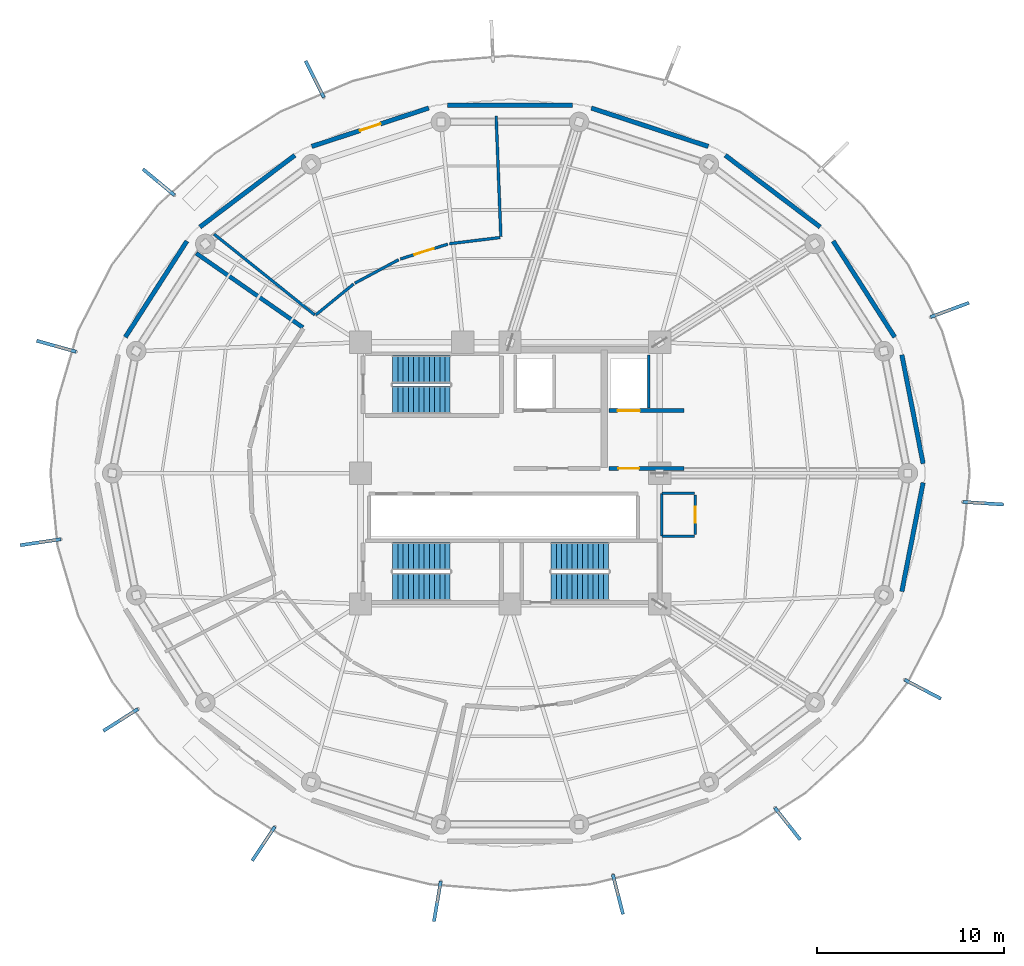
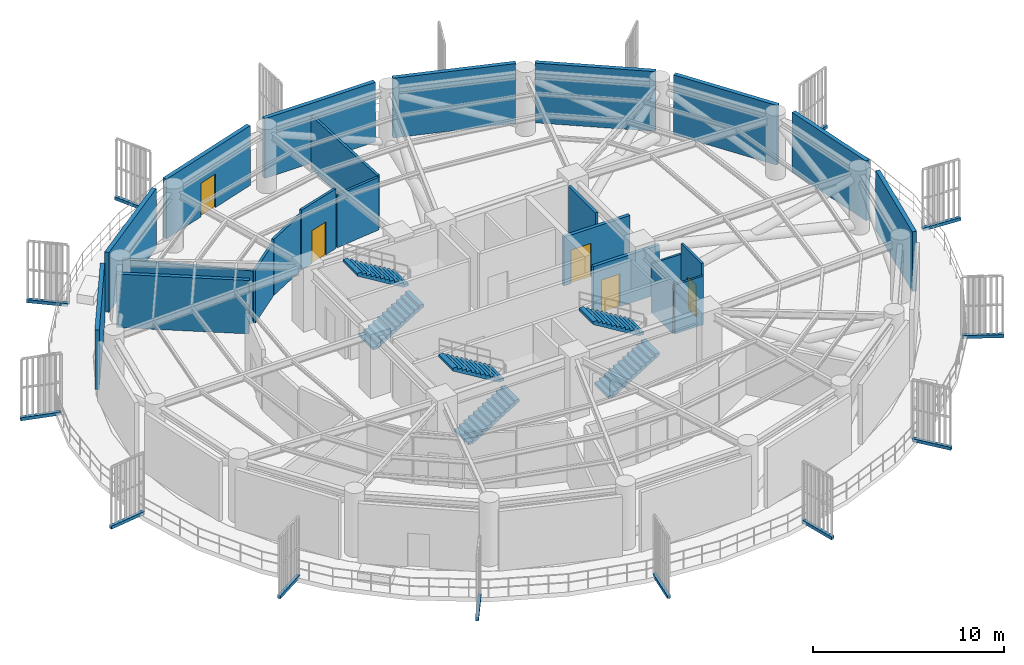
# One storey, part 5 of 10: 23 walls, 12 discrete accessories, 6 stair flights, 5 doors, 5 openings, 3 elements without a shape of their own.
"""IFC4 building model written with IfcOpenShell, lengths in metres."""

from ifc_helpers import new_model, si_unit, direction, frame, frame_2d, origin, origin_2d, place, context, subcontext, project, spatial, polyline, rectangle, outline, extrude, source, transform, mapped, material, layer, layer_set, type_object, element, fill, aggregate, save


model = new_model("IFC4")

# Units and contexts
model_context = context("Model", 3, precision=1e-05, world=origin(), true_north=direction((0.0, 1.0)))
body_context = subcontext(model_context, "Body", "Model", "MODEL_VIEW")
ifc_project = project(units=[si_unit("LENGTHUNIT", "METRE"), si_unit("AREAUNIT", "SQUARE_METRE"), si_unit("VOLUMEUNIT", "CUBIC_METRE"), si_unit("PLANEANGLEUNIT", "RADIAN"), si_unit("MASSUNIT", "GRAM", prefix="KILO")], contexts=[model_context])

# Site, building, storey
site_placement = place(None, origin())
site = spatial("IfcSite", under=ifc_project, at=site_placement, CompositionType="ELEMENT")
building_placement = place(site_placement, origin())
building = spatial("IfcBuilding", under=site, at=building_placement, Name="Kelanora Arch Commons", CompositionType="ELEMENT")
storey_placement = place(building_placement, frame((0.0, 0.0, 189.110107421875)))
storey = spatial("IfcBuildingStorey", under=building, at=storey_placement, Name="L48", CompositionType="ELEMENT", Elevation=189.110107421875)

# Wall
ifc_material_1 = material(Name="Autoclaved aerated concrete blockwork with fire plaster", Category="masonry")
ifc_layer_1 = layer(ifc_material_1, 0.14990234375)
ifc_layer_set_1 = layer_set([ifc_layer_1], Name="Autoclaved aerated concrete blockwork with fire plaster")
wall_type_1 = type_object("IfcWallType", Name="W-COMP-150", PredefinedType="PARTITIONING", material=ifc_layer_set_1)
wall_1_placement = place(storey_placement, frame((81.419921875, 61.47998046875, 0.0), z_axis=(0.0, 0.0, 1.0), x_axis=(0.0, 1.0, 0.0)))
element("IfcWall", 1, at=wall_1_placement, inside=storey, type_object=wall_type_1, Name="Firefighting Lift 2 East Shaft Wall L48", PredefinedType="PARTITIONING", context=body_context, shape_type="SweptSolid", body=[
    extrude(rectangle(XDim=2.840087890625, YDim=0.14990234375, at=frame_2d((1.419921875, 0.0))), origin(), (0.0, 0.0, 1.0), 3.81982421875),
])

# Wall, opening, door
wall_2_placement = place(storey_placement, frame((70.669921875, 70.2529296875, 0.0), z_axis=(0.0, 0.0, 1.0), x_axis=(-0.954072441826, -0.299575993278, 0.0)))
wall_2 = element("IfcWall", 2, at=wall_2_placement, inside=storey, type_object=wall_type_1, Name="Dedicated Outdoor Air and Enthalpy Wheel Plant L48 Entry Partition", PredefinedType="PARTITIONING", context=body_context, shape_type="SweptSolid", body=[
    extrude(rectangle(XDim=2.659912109375, YDim=0.14990234375, at=frame_2d((1.330078125, 0.0))), origin(), (0.0, 0.0, 1.0), 3.81982421875),
])
opening_1_placement = place(wall_2_placement, frame((0.7900390625, 0.0, 0.0)))
opening_1 = element("IfcOpeningElement", 3, at=opening_1_placement, cuts=wall_2, Name="Opening D-PLT1", PredefinedType="OPENING", context=body_context, shape_type="SweptSolid", body=[
    extrude(rectangle(XDim=1.080078125, YDim=2.10009765625, at=frame_2d((0.5400390625, 1.050048828125))), frame((0.0, 0.0849609375, 0.0), z_axis=(0.0, -1.0, 0.0), x_axis=(1.0, 0.0, 0.0)), (0.0, 0.0, 1.0), 0.169921875),
])
ifc_material_2 = material(Name="Galvanised steel plant and riser fire door", Category="steel")
door_type_1 = type_object("IfcDoorType", Name="D-PLT-110", OperationType="NOTDEFINED", PredefinedType="DOOR", material=ifc_material_2)
door_1_placement = place(opening_1_placement, origin())
door_1 = element("IfcDoor", 4, at=door_1_placement, inside=storey, type_object=door_type_1, Name="Dedicated Outdoor Air and Enthalpy Wheel Plant L48 Door", OperationType="SINGLE_SWING_RIGHT", OverallHeight=2.10009765625, OverallWidth=1.080078125, PredefinedType="DOOR", context=body_context, shape_type="SweptSolid", body=[
    extrude(rectangle(XDim=1.080078125, YDim=2.10009765625, at=frame_2d((0.5400390625, 1.050048828125))), frame((0.0, 0.02490234375, 0.0), z_axis=(0.0, -1.0, 0.0), x_axis=(1.0, 0.0, 0.0)), (0.0, 0.0, 1.0), 0.050048828125),
])
fill(opening_1, door_1)

# Walls
wall_3_placement = place(storey_placement, frame((73.47119140625, 70.607177734375, 0.0), z_axis=(0.0, 0.0, 1.0), x_axis=(-0.99258087274, -0.12158622895, 0.0)))
element("IfcWall", 5, at=wall_3_placement, inside=storey, type_object=wall_type_1, Name="Dedicated Outdoor Air and Enthalpy Wheel Plant L48 Enclosure Partition 1", PredefinedType="PARTITIONING", context=body_context, shape_type="SweptSolid", body=[
    extrude(rectangle(XDim=2.724853515625, YDim=0.14990234375, at=frame_2d((1.3623046875, 0.0))), origin(), (0.0, 0.0, 1.0), 3.364990234375),
])
wall_4_placement = place(storey_placement, frame((68.039794921875, 69.419189453125, 0.0), z_axis=(0.0, 0.0, 1.0), x_axis=(-0.881492256426, -0.47219847719, 0.0)))
element("IfcWall", 6, at=wall_4_placement, inside=storey, type_object=wall_type_1, Name="Dedicated Outdoor Air and Enthalpy Wheel Plant L48 Enclosure Partition 3", PredefinedType="PARTITIONING", context=body_context, shape_type="SweptSolid", body=[
    extrude(rectangle(XDim=2.658447265625, YDim=0.14990234375, at=frame_2d((1.3291015625, 0.0))), origin(), (0.0, 0.0, 1.0), 3.574951171875),
])
wall_5_placement = place(storey_placement, frame((65.6298828125, 68.11962890625, 0.0), z_axis=(0.0, 0.0, 1.0), x_axis=(-0.774061607798, -0.633110280546, 0.0)))
element("IfcWall", 7, at=wall_5_placement, inside=storey, type_object=wall_type_1, Name="Dedicated Outdoor Air and Enthalpy Wheel Plant L48 Enclosure Partition 4", PredefinedType="PARTITIONING", context=body_context, shape_type="SweptSolid", body=[
    extrude(rectangle(XDim=2.606689453125, YDim=0.14990234375, at=frame_2d((1.30322265625, 0.0))), origin(), (0.0, 0.0, 1.0), 3.364990234375),
])
wall_6_placement = place(storey_placement, frame((63.5498046875, 66.468994140625, 0.0), z_axis=(0.0, 0.0, 1.0), x_axis=(-0.77998820796, 0.625794211737, 0.0)))
element("IfcWall", 8, at=wall_6_placement, inside=storey, type_object=wall_type_1, Name="Dedicated Outdoor Air and Enthalpy Wheel Plant L48 Enclosure Partition 5", PredefinedType="PARTITIONING", context=body_context, shape_type="SweptSolid", body=[
    extrude(rectangle(XDim=6.9033203125, YDim=0.14990234375, at=frame_2d((3.45166015625, 0.0))), origin(), (0.0, 0.0, 1.0), 3.364990234375),
])
wall_7_placement = place(storey_placement, frame((73.256591796875, 77.097900390625, 0.0), z_axis=(0.0, 0.0, 1.0), x_axis=(0.039209277228, -0.999231020625, 0.0)))
element("IfcWall", 9, at=wall_7_placement, inside=storey, type_object=wall_type_1, Name="Dedicated Outdoor Air and Enthalpy Wheel Plant L48 Enclosure Partition 10", PredefinedType="PARTITIONING", context=body_context, shape_type="SweptSolid", body=[
    extrude(rectangle(XDim=6.45068359375, YDim=0.14990234375, at=frame_2d((3.225341796875, 0.0))), origin(), (0.0, 0.0, 1.0), 3.414794921875),
])
ifc_material_3 = material(Name="Precast concrete C40/50 upper-zone terracotta rainscreen", Category="masonry")
ifc_layer_2 = layer(ifc_material_3, 0.239990234375)
ifc_layer_set_2 = layer_set([ifc_layer_2], Name="Precast concrete C40/50 upper-zone terracotta rainscreen")
wall_type_2 = type_object("IfcWallType", Name="W-EXT-TC2", PredefinedType="SOLIDWALL", material=ifc_layer_set_2)
wall_8_placement = place(storey_placement, frame((96.10009765625, 58.51025390625, 0.0), z_axis=(0.0, 0.0, 1.0), x_axis=(-0.192052981254, 0.981384558871, 0.0)))
element("IfcWall", 10, at=wall_8_placement, inside=storey, type_object=wall_type_2, Name="Mechanical Louvre Precast Backing Wall L48-01", PredefinedType="SOLIDWALL", context=body_context, shape_type="SweptSolid", body=[
    extrude(rectangle(XDim=5.93017578125, YDim=0.239990234375, at=frame_2d((2.965087890625, 0.0))), origin(), (0.0, 0.0, 1.0), 3.81494140625),
])
wall_9_placement = place(storey_placement, frame((94.58056640625, 65.2783203125, 0.0), z_axis=(0.0, 0.0, 1.0), x_axis=(-0.539556360139, 0.841949484371, 0.0)))
element("IfcWall", 11, at=wall_9_placement, inside=storey, type_object=wall_type_2, Name="Mechanical Louvre Precast Backing Wall L48-02", PredefinedType="SOLIDWALL", context=body_context, shape_type="SweptSolid", body=[
    extrude(rectangle(XDim=6.1044921875, YDim=0.239990234375, at=frame_2d((3.05224609375, 0.0))), origin(), (0.0, 0.0, 1.0), 3.81494140625),
])
wall_10_placement = place(storey_placement, frame((90.59130859375, 71.16943359375, 0.0), z_axis=(0.0, 0.0, 1.0), x_axis=(-0.797724599481, 0.603021942704, 0.0)))
element("IfcWall", 12, at=wall_10_placement, inside=storey, type_object=wall_type_2, Name="Mechanical Louvre Precast Backing Wall L48-03", PredefinedType="SOLIDWALL", context=body_context, shape_type="SweptSolid", body=[
    extrude(rectangle(XDim=6.363525390625, YDim=0.239990234375, at=frame_2d((3.181640625, 0.0))), origin(), (0.0, 0.0, 1.0), 3.81494140625),
])
wall_11_placement = place(storey_placement, frame((84.60595703125, 75.482421875, 0.0), z_axis=(0.0, 0.0, 1.0), x_axis=(-0.950214424667, 0.31159677013, 0.0)))
element("IfcWall", 13, at=wall_11_placement, inside=storey, type_object=wall_type_2, Name="Mechanical Louvre Precast Backing Wall L48-04", PredefinedType="SOLIDWALL", context=body_context, shape_type="SweptSolid", body=[
    extrude(rectangle(XDim=6.584716796875, YDim=0.239990234375, at=frame_2d((3.29248046875, 0.0))), origin(), (0.0, 0.0, 1.0), 3.81494140625),
])
wall_12_placement = place(storey_placement, frame((77.3349609375, 77.6962890625, 0.0), z_axis=(0.0, 0.0, 1.0), x_axis=(-1.0, 0.0, 0.0)))
element("IfcWall", 14, at=wall_12_placement, inside=storey, type_object=wall_type_2, Name="Mechanical Louvre Precast Backing Wall L48-05", PredefinedType="SOLIDWALL", context=body_context, shape_type="SweptSolid", body=[
    extrude(rectangle(XDim=6.669921875, YDim=0.239990234375, at=frame_2d((3.3349609375, 0.0))), origin(), (0.0, 0.0, 1.0), 3.81494140625),
])

# Wall, opening, door
wall_13_placement = place(storey_placement, frame((69.65087890625, 77.5341796875, 0.0), z_axis=(0.0, 0.0, 1.0), x_axis=(-0.950214424667, -0.31159677013, 0.0)))
wall_13 = element("IfcWall", 15, at=wall_13_placement, inside=storey, type_object=wall_type_2, Name="Mechanical Louvre Precast Backing Wall L48-06", PredefinedType="SOLIDWALL", context=body_context, shape_type="SweptSolid", body=[
    extrude(rectangle(XDim=6.584716796875, YDim=0.239990234375, at=frame_2d((3.29248046875, 0.0))), origin(), (0.0, 0.0, 1.0), 3.81494140625),
])
opening_2_placement = place(wall_13_placement, frame((2.717041015625, 0.0, 0.0)))
opening_2 = element("IfcOpeningElement", 16, at=opening_2_placement, cuts=wall_13, Name="Opening DT-01", PredefinedType="OPENING", context=body_context, shape_type="SweptSolid", body=[
    extrude(rectangle(XDim=1.14990234375, YDim=2.14990234375, at=frame_2d((0.574951171875, 1.074951171875))), frame((0.0, 0.1298828125, 0.0), z_axis=(0.0, -1.0, 0.0), x_axis=(1.0, 0.0, 0.0)), (0.0, 0.0, 1.0), 0.260009765625),
])
ifc_material_4 = material(Name="Weather-sealed aluminium terrace door", Category="aluminium")
door_type_2 = type_object("IfcDoorType", Name="D-TERR-12", OperationType="NOTDEFINED", PredefinedType="DOOR", material=ifc_material_4)
door_2_placement = place(opening_2_placement, frame((1.14990234375, 0.0, 0.0), z_axis=(0.0, 0.0, 1.0), x_axis=(-1.0, 0.0, 0.0)))
door_2 = element("IfcDoor", 17, at=door_2_placement, inside=storey, type_object=door_type_2, Name="Setback Terrace Maintenance Door L48-05", OperationType="SINGLE_SWING_LEFT", OverallHeight=2.14990234375, OverallWidth=1.14990234375, PredefinedType="DOOR", context=body_context, shape_type="SweptSolid", body=[
    extrude(rectangle(XDim=1.14990234375, YDim=2.14990234375, at=frame_2d((0.574951171875, 1.074951171875))), frame((0.0, 0.02490234375, 0.0), z_axis=(0.0, -1.0, 0.0), x_axis=(1.0, 0.0, 0.0)), (0.0, 0.0, 1.0), 0.050048828125),
])
fill(opening_2, door_2)

# Walls
wall_14_placement = place(storey_placement, frame((62.485107421875, 75.0068359375, 0.0), z_axis=(0.0, 0.0, 1.0), x_axis=(-0.797724599481, -0.603021942704, 0.0)))
element("IfcWall", 18, at=wall_14_placement, inside=storey, type_object=wall_type_2, Name="Mechanical Louvre Precast Backing Wall L48-07", PredefinedType="SOLIDWALL", context=body_context, shape_type="SweptSolid", body=[
    extrude(rectangle(XDim=6.363525390625, YDim=0.239990234375, at=frame_2d((3.181640625, 0.0))), origin(), (0.0, 0.0, 1.0), 3.81494140625),
])
wall_15_placement = place(storey_placement, frame((56.713134765625, 70.41796875, 0.0), z_axis=(0.0, 0.0, 1.0), x_axis=(-0.539556360139, -0.841949484371, 0.0)))
element("IfcWall", 19, at=wall_15_placement, inside=storey, type_object=wall_type_2, Name="Mechanical Louvre Precast Backing Wall L48-08", PredefinedType="SOLIDWALL", context=body_context, shape_type="SweptSolid", body=[
    extrude(rectangle(XDim=6.1044921875, YDim=0.239990234375, at=frame_2d((3.05224609375, 0.0))), origin(), (0.0, 0.0, 1.0), 3.81494140625),
])
wall_16_placement = place(storey_placement, frame((94.961181640625, 51.669921875, 0.0), z_axis=(0.0, 0.0, 1.0), x_axis=(0.192052981254, 0.981384558871, 0.0)))
element("IfcWall", 20, at=wall_16_placement, inside=storey, type_object=wall_type_2, Name="Mechanical Louvre Precast Backing Wall L48-18", PredefinedType="SOLIDWALL", context=body_context, shape_type="SweptSolid", body=[
    extrude(rectangle(XDim=5.93017578125, YDim=0.239990234375, at=frame_2d((2.965087890625, 0.0))), origin(), (0.0, 0.0, 1.0), 3.81494140625),
])

# Wall, opening, door
ifc_material_5 = material(Name="Concrete C40/50", Category="concrete")
ifc_layer_3 = layer(ifc_material_5, 0.199951171875)
ifc_layer_set_3 = layer_set([ifc_layer_3], Name="Concrete C40/50")
wall_type_3 = type_object("IfcWallType", Name="W-FFL-200", PredefinedType="SOLIDWALL", material=ifc_layer_set_3)
wall_17_placement = place(storey_placement, frame((79.300048828125, 61.35009765625, 0.0), z_axis=(0.0, 0.0, 1.0), x_axis=(1.0, 0.0, 0.0)))
wall_17 = element("IfcWall", 21, at=wall_17_placement, inside=storey, type_object=wall_type_3, Name="Firefighting Lift 2 Shaft Front L48", PredefinedType="SOLIDWALL", context=body_context, shape_type="SweptSolid", body=[
    extrude(rectangle(XDim=4.0, YDim=0.199951171875, at=frame_2d((2.0, 0.0))), origin(), (0.0, 0.0, 1.0), 3.114990234375),
])
opening_3_placement = place(wall_17_placement, frame((0.449951171875, 0.0, 0.0)))
opening_3 = element("IfcOpeningElement", 22, at=opening_3_placement, cuts=wall_17, Name="Opening LD-FF", PredefinedType="OPENING", context=body_context, shape_type="SweptSolid", body=[
    extrude(rectangle(XDim=1.199951171875, YDim=2.14990234375, at=frame_2d((0.60009765625, 1.074951171875))), frame((0.0, 0.10986328125, 0.0), z_axis=(0.0, -1.0, 0.0), x_axis=(1.0, 0.0, 0.0)), (0.0, 0.0, 1.0), 0.219970703125),
])
ifc_material_6 = material(Name="Fire-rated firefighters lift sliding landing door")
door_type_3 = type_object("IfcDoorType", Name="D-LIFT-FF", OperationType="NOTDEFINED", PredefinedType="DOOR", material=ifc_material_6)
door_3_placement = place(opening_3_placement, origin())
door_3 = element("IfcDoor", 23, at=door_3_placement, inside=storey, type_object=door_type_3, Name="Firefighting Lift LF-FF2 Landing Door L48", OperationType="DOUBLE_DOOR_SLIDING", OverallHeight=2.14990234375, OverallWidth=1.199951171875, PredefinedType="DOOR", context=body_context, shape_type="SweptSolid", body=[
    extrude(rectangle(XDim=1.199951171875, YDim=2.14990234375, at=frame_2d((0.60009765625, 1.074951171875))), frame((0.0, 0.02490234375, 0.0), z_axis=(0.0, -1.0, 0.0), x_axis=(1.0, 0.0, 0.0)), (0.0, 0.0, 1.0), 0.050048828125),
])
fill(opening_3, door_3)

wall_18_placement = place(storey_placement, frame((79.300048828125, 58.25, 0.0), z_axis=(0.0, 0.0, 1.0), x_axis=(1.0, 0.0, 0.0)))
wall_18 = element("IfcWall", 24, at=wall_18_placement, inside=storey, type_object=wall_type_3, Name="Firefighting Lobby 2 Enclosure Wall L48", PredefinedType="SOLIDWALL", context=body_context, shape_type="SweptSolid", body=[
    extrude(rectangle(XDim=4.0, YDim=0.199951171875, at=frame_2d((2.0, 0.0))), origin(), (0.0, 0.0, 1.0), 3.114990234375),
])
opening_4_placement = place(wall_18_placement, frame((0.5, 0.0, 0.0)))
opening_4 = element("IfcOpeningElement", 25, at=opening_4_placement, cuts=wall_18, Name="Opening D-FFL1", PredefinedType="OPENING", context=body_context, shape_type="SweptSolid", body=[
    extrude(rectangle(XDim=1.10009765625, YDim=2.10009765625, at=frame_2d((0.550048828125, 1.050048828125))), frame((0.0, 0.10986328125, 0.0), z_axis=(0.0, -1.0, 0.0), x_axis=(1.0, 0.0, 0.0)), (0.0, 0.0, 1.0), 0.219970703125),
])
ifc_material_7 = material(Name="Smoke-sealed firefighting lobby fire door")
door_type_4 = type_object("IfcDoorType", Name="D-FFL-110", OperationType="NOTDEFINED", PredefinedType="DOOR", material=ifc_material_7)
door_4_placement = place(opening_4_placement, frame((1.10009765625, 0.0, 0.0), z_axis=(0.0, 0.0, 1.0), x_axis=(-1.0, 0.0, 0.0)))
door_4 = element("IfcDoor", 26, at=door_4_placement, inside=storey, type_object=door_type_4, Name="Firefighting Lobby 2 Door L48", OperationType="SINGLE_SWING_RIGHT", OverallHeight=2.10009765625, OverallWidth=1.10009765625, PredefinedType="DOOR", context=body_context, shape_type="SweptSolid", body=[
    extrude(rectangle(XDim=1.10009765625, YDim=2.10009765625, at=frame_2d((0.550048828125, 1.050048828125))), frame((0.0, 0.02490234375, 0.0), z_axis=(0.0, -1.0, 0.0), x_axis=(1.0, 0.0, 0.0)), (0.0, 0.0, 1.0), 0.050048828125),
])
fill(opening_4, door_4)

# Wall
ifc_layer_4 = layer(ifc_material_5, 0.219970703125)
ifc_layer_set_4 = layer_set([ifc_layer_4], Name="Concrete C40/50")
wall_type_4 = type_object("IfcWallType", Name="W-REF-200", PredefinedType="SOLIDWALL", material=ifc_layer_set_4)
wall_19_placement = place(storey_placement, frame((57.208740234375, 69.76708984375, 0.0), z_axis=(0.0, 0.0, 1.0), x_axis=(0.820778585788, -0.571246455667, 0.0)))
element("IfcWall", 27, at=wall_19_placement, inside=storey, type_object=wall_type_4, Name="Protected Fire Refuge Holding Area L48-West Enclosure Partition 10", PredefinedType="SOLIDWALL", context=body_context, shape_type="SweptSolid", body=[
    extrude(rectangle(XDim=6.957275390625, YDim=0.219970703125, at=frame_2d((3.478515625, 0.0))), origin(), (0.0, 0.0, 1.0), 3.414794921875),
])

# Wall, opening, door
ifc_material_8 = material(Name="Moisture-resistant fire-rated cement-board plumbing wall")
ifc_layer_5 = layer(ifc_material_8, 0.1298828125)
ifc_layer_set_5 = layer_set([ifc_layer_5], Name="Moisture-resistant fire-rated cement-board plumbing wall")
wall_type_5 = type_object("IfcWallType", Name="W-WET-120", PredefinedType="PLUMBINGWALL", material=ifc_layer_set_5)
wall_20_placement = place(storey_placement, frame((83.89990234375, 54.7099609375, 0.0), z_axis=(0.0, 0.0, 1.0), x_axis=(0.0, 1.0, 0.0)))
wall_20 = element("IfcWall", 28, at=wall_20_placement, inside=storey, type_object=wall_type_5, Name="Refuge Accessible First-Aid WC L48 Entry Partition", PredefinedType="PLUMBINGWALL", context=body_context, shape_type="SweptSolid", body=[
    extrude(rectangle(XDim=2.110107421875, YDim=0.1298828125, at=frame_2d((1.05517578125, 0.0))), origin(), (0.0, 0.0, 1.0), 3.81982421875),
])
opening_5_placement = place(wall_20_placement, frame((0.625, 0.0, 0.0)))
opening_5 = element("IfcOpeningElement", 29, at=opening_5_placement, cuts=wall_20, Name="Opening D-BT1", PredefinedType="OPENING", context=body_context, shape_type="SweptSolid", body=[
    extrude(rectangle(XDim=0.860107421875, YDim=2.050048828125, at=frame_2d((0.43017578125, 1.02490234375))), frame((0.0, 0.074951171875, 0.0), z_axis=(0.0, -1.0, 0.0), x_axis=(1.0, 0.0, 0.0)), (0.0, 0.0, 1.0), 0.14990234375),
])
ifc_material_9 = material(Name="Moisture-sealed fire-rated accessible bathroom door")
door_type_5 = type_object("IfcDoorType", Name="D-BATH-85", OperationType="NOTDEFINED", PredefinedType="DOOR", material=ifc_material_9)
door_5_placement = place(opening_5_placement, origin())
door_5 = element("IfcDoor", 30, at=door_5_placement, inside=storey, type_object=door_type_5, Name="Refuge Accessible First-Aid WC L48 Door", OperationType="SINGLE_SWING_RIGHT", OverallHeight=2.050048828125, OverallWidth=0.860107421875, PredefinedType="DOOR", context=body_context, shape_type="SweptSolid", body=[
    extrude(rectangle(XDim=0.860107421875, YDim=2.050048828125, at=frame_2d((0.43017578125, 1.02490234375))), frame((0.0, 0.02490234375, 0.0), z_axis=(0.0, -1.0, 0.0), x_axis=(1.0, 0.0, 0.0)), (0.0, 0.0, 1.0), 0.050048828125),
])
fill(opening_5, door_5)

# Walls
for number, where, z_axis, x_axis, name in (
    (31, (82.139892578125, 54.6201171875, 0.0), (0.0, 0.0, 1.0), (1.0, 0.0, 0.0), "Refuge Accessible First-Aid WC L48 Enclosure Partition 1"),
    (32, (83.8798828125, 56.919921875, 0.0), (0.0, 0.0, 1.0), (-1.0, 0.0, 0.0), "Refuge Accessible First-Aid WC L48 Enclosure Partition 3"),
):
    element("IfcWall", number, at=place(storey_placement, frame(where, z_axis=z_axis, x_axis=x_axis)), inside=storey, type_object=wall_type_5, Name=name, PredefinedType="PLUMBINGWALL", context=body_context, shape_type="SweptSolid", body=[
        extrude(rectangle(XDim=1.739990234375, YDim=0.1298828125, at=frame_2d((0.8701171875, 0.0))), origin(), (0.0, 0.0, 1.0), 3.114990234375),
    ])
wall_21_placement = place(storey_placement, frame((82.1201171875, 56.89990234375, 0.0), z_axis=(0.0, 0.0, 1.0), x_axis=(0.0, -1.0, 0.0)))
element("IfcWall", 33, at=wall_21_placement, inside=storey, type_object=wall_type_5, Name="Refuge Accessible First-Aid WC L48 Enclosure Partition 4", PredefinedType="PLUMBINGWALL", context=body_context, shape_type="SweptSolid", body=[
    extrude(rectangle(XDim=2.260009765625, YDim=0.1298828125, at=frame_2d((1.1298828125, 0.0))), origin(), (0.0, 0.0, 1.0), 3.114990234375),
])

# Stair, stair flights
stair_type = type_object("IfcStairType", Name="STR-DL-409", PredefinedType="HALF_TURN_STAIR", material=ifc_material_5)
stair_1_placement = place(storey_placement, origin())
stair_1 = element("IfcStair", 34, at=stair_1_placement, inside=storey, type_object=stair_type, Name="L48 ST-T1", PredefinedType="HALF_TURN_STAIR")
stair_flight_type = type_object("IfcStairFlightType", Name="FLT-DL-409", PredefinedType="STRAIGHT", material=ifc_material_5)
stair_flight_1_placement = place(storey_placement, frame((67.719970703125, 61.919921875, 0.0), z_axis=(0.0, 0.0, 1.0), x_axis=(1.0, 0.0, 0.0)))
stair_flight_1 = element("IfcStairFlight", 35, at=stair_flight_1_placement, type_object=stair_flight_type, Name="ST-T1 flight 1", NumberOfRisers=12, NumberOfTreads=11, PredefinedType="STRAIGHT", RiserHeight=0.170416667, TreadLength=0.28, context=body_context, shape_type="SweptSolid", body=[
    extrude(outline(polyline([(0.0, 0.0), (0.0, 0.17041015625), (0.280029296875, 0.17041015625), (0.280029296875, 0.3408203125), (0.56005859375, 0.3408203125), (0.56005859375, 0.51123046875), (0.840087890625, 0.51123046875), (0.840087890625, 0.681640625), (1.1201171875, 0.681640625), (1.1201171875, 0.85205078125), (1.39990234375, 0.85205078125), (1.39990234375, 1.0224609375), (1.679931640625, 1.0224609375), (1.679931640625, 1.19287109375), (1.9599609375, 1.19287109375), (1.9599609375, 1.36328125), (2.239990234375, 1.36328125), (2.239990234375, 1.53369140625), (2.52001953125, 1.53369140625), (2.52001953125, 1.7041015625), (2.800048828125, 1.7041015625), (2.800048828125, 1.87451171875), (3.080078125, 1.87451171875), (3.080078125, 2.044921875), (3.080078125, 1.69921875), (0.288330078125, 0.0), (0.0, 0.0)])), frame((0.0, 0.739990234375, 0.0), z_axis=(0.0, -1.0, 0.0), x_axis=(1.0, 0.0, 0.0)), (0.0, 0.0, 1.0), 1.47998046875),
])
stair_flight_2_placement = place(storey_placement, frame((70.800048828125, 63.550048828125, 2.044921875), z_axis=(0.0, 0.0, 1.0), x_axis=(-1.0, 0.0, 0.0)))
stair_flight_2 = element("IfcStairFlight", 36, at=stair_flight_2_placement, type_object=stair_flight_type, Name="ST-T1 flight 2", NumberOfRisers=12, NumberOfTreads=11, PredefinedType="STRAIGHT", RiserHeight=0.170416667, TreadLength=0.28, context=body_context, shape_type="SweptSolid", body=[
    extrude(outline(polyline([(0.0, 0.0), (0.0, 0.17041015625), (0.280029296875, 0.17041015625), (0.280029296875, 0.3408203125), (0.56005859375, 0.3408203125), (0.56005859375, 0.51123046875), (0.840087890625, 0.51123046875), (0.840087890625, 0.681640625), (1.1201171875, 0.681640625), (1.1201171875, 0.85205078125), (1.39990234375, 0.85205078125), (1.39990234375, 1.0224609375), (1.679931640625, 1.0224609375), (1.679931640625, 1.19287109375), (1.9599609375, 1.19287109375), (1.9599609375, 1.36328125), (2.239990234375, 1.36328125), (2.239990234375, 1.53369140625), (2.52001953125, 1.53369140625), (2.52001953125, 1.7041015625), (2.800048828125, 1.7041015625), (2.800048828125, 1.87451171875), (3.080078125, 1.87451171875), (3.080078125, 2.044921875), (3.080078125, 1.69921875), (0.288330078125, 0.0), (0.0, 0.0)])), frame((0.0, 0.739990234375, 0.0), z_axis=(0.0, -1.0, 0.0), x_axis=(1.0, 0.0, 0.0)), (0.0, 0.0, 1.0), 1.47998046875),
])
aggregate(stair_1, [stair_flight_1, stair_flight_2])

stair_2_placement = place(storey_placement, origin())
stair_2 = element("IfcStair", 37, at=stair_2_placement, inside=storey, type_object=stair_type, Name="L48 ST-T2", PredefinedType="HALF_TURN_STAIR")
stair_flight_3_placement = place(storey_placement, frame((76.199951171875, 51.919921875, 0.0), z_axis=(0.0, 0.0, 1.0), x_axis=(1.0, 0.0, 0.0)))
stair_flight_3 = element("IfcStairFlight", 38, at=stair_flight_3_placement, type_object=stair_flight_type, Name="ST-T2 flight 1", NumberOfRisers=12, NumberOfTreads=11, PredefinedType="STRAIGHT", RiserHeight=0.170416667, TreadLength=0.28, context=body_context, shape_type="SweptSolid", body=[
    extrude(outline(polyline([(0.0, 0.0), (0.0, 0.17041015625), (0.280029296875, 0.17041015625), (0.280029296875, 0.3408203125), (0.56005859375, 0.3408203125), (0.56005859375, 0.51123046875), (0.840087890625, 0.51123046875), (0.840087890625, 0.681640625), (1.1201171875, 0.681640625), (1.1201171875, 0.85205078125), (1.39990234375, 0.85205078125), (1.39990234375, 1.0224609375), (1.679931640625, 1.0224609375), (1.679931640625, 1.19287109375), (1.9599609375, 1.19287109375), (1.9599609375, 1.36328125), (2.239990234375, 1.36328125), (2.239990234375, 1.53369140625), (2.52001953125, 1.53369140625), (2.52001953125, 1.7041015625), (2.800048828125, 1.7041015625), (2.800048828125, 1.87451171875), (3.080078125, 1.87451171875), (3.080078125, 2.044921875), (3.080078125, 1.69921875), (0.288330078125, 0.0), (0.0, 0.0)])), frame((0.0, 0.739990234375, 0.0), z_axis=(0.0, -1.0, 0.0), x_axis=(1.0, 0.0, 0.0)), (0.0, 0.0, 1.0), 1.47998046875),
])
stair_flight_4_placement = place(storey_placement, frame((79.280029296875, 53.550048828125, 2.044921875), z_axis=(0.0, 0.0, 1.0), x_axis=(-1.0, 0.0, 0.0)))
stair_flight_4 = element("IfcStairFlight", 39, at=stair_flight_4_placement, type_object=stair_flight_type, Name="ST-T2 flight 2", NumberOfRisers=12, NumberOfTreads=11, PredefinedType="STRAIGHT", RiserHeight=0.170416667, TreadLength=0.28, context=body_context, shape_type="SweptSolid", body=[
    extrude(outline(polyline([(0.0, 0.0), (0.0, 0.17041015625), (0.280029296875, 0.17041015625), (0.280029296875, 0.3408203125), (0.56005859375, 0.3408203125), (0.56005859375, 0.51123046875), (0.840087890625, 0.51123046875), (0.840087890625, 0.681640625), (1.1201171875, 0.681640625), (1.1201171875, 0.85205078125), (1.39990234375, 0.85205078125), (1.39990234375, 1.0224609375), (1.679931640625, 1.0224609375), (1.679931640625, 1.19287109375), (1.9599609375, 1.19287109375), (1.9599609375, 1.36328125), (2.239990234375, 1.36328125), (2.239990234375, 1.53369140625), (2.52001953125, 1.53369140625), (2.52001953125, 1.7041015625), (2.800048828125, 1.7041015625), (2.800048828125, 1.87451171875), (3.080078125, 1.87451171875), (3.080078125, 2.044921875), (3.080078125, 1.69921875), (0.288330078125, 0.0), (0.0, 0.0)])), frame((0.0, 0.739990234375, 0.0), z_axis=(0.0, -1.0, 0.0), x_axis=(1.0, 0.0, 0.0)), (0.0, 0.0, 1.0), 1.47998046875),
])
aggregate(stair_2, [stair_flight_3, stair_flight_4])

stair_3_placement = place(storey_placement, origin())
stair_3 = element("IfcStair", 40, at=stair_3_placement, inside=storey, type_object=stair_type, Name="L48 ST-T3", PredefinedType="HALF_TURN_STAIR")
stair_flight_5_placement = place(storey_placement, frame((67.719970703125, 51.919921875, 0.0), z_axis=(0.0, 0.0, 1.0), x_axis=(1.0, 0.0, 0.0)))
stair_flight_5 = element("IfcStairFlight", 41, at=stair_flight_5_placement, type_object=stair_flight_type, Name="ST-T3 flight 1", NumberOfRisers=12, NumberOfTreads=11, PredefinedType="STRAIGHT", RiserHeight=0.170416667, TreadLength=0.28, context=body_context, shape_type="SweptSolid", body=[
    extrude(outline(polyline([(0.0, 0.0), (0.0, 0.17041015625), (0.280029296875, 0.17041015625), (0.280029296875, 0.3408203125), (0.56005859375, 0.3408203125), (0.56005859375, 0.51123046875), (0.840087890625, 0.51123046875), (0.840087890625, 0.681640625), (1.1201171875, 0.681640625), (1.1201171875, 0.85205078125), (1.39990234375, 0.85205078125), (1.39990234375, 1.0224609375), (1.679931640625, 1.0224609375), (1.679931640625, 1.19287109375), (1.9599609375, 1.19287109375), (1.9599609375, 1.36328125), (2.239990234375, 1.36328125), (2.239990234375, 1.53369140625), (2.52001953125, 1.53369140625), (2.52001953125, 1.7041015625), (2.800048828125, 1.7041015625), (2.800048828125, 1.87451171875), (3.080078125, 1.87451171875), (3.080078125, 2.044921875), (3.080078125, 1.69921875), (0.288330078125, 0.0), (0.0, 0.0)])), frame((0.0, 0.739990234375, 0.0), z_axis=(0.0, -1.0, 0.0), x_axis=(1.0, 0.0, 0.0)), (0.0, 0.0, 1.0), 1.47998046875),
])
stair_flight_6_placement = place(storey_placement, frame((70.800048828125, 53.550048828125, 2.044921875), z_axis=(0.0, 0.0, 1.0), x_axis=(-1.0, 0.0, 0.0)))
stair_flight_6 = element("IfcStairFlight", 42, at=stair_flight_6_placement, type_object=stair_flight_type, Name="ST-T3 flight 2", NumberOfRisers=12, NumberOfTreads=11, PredefinedType="STRAIGHT", RiserHeight=0.170416667, TreadLength=0.28, context=body_context, shape_type="SweptSolid", body=[
    extrude(outline(polyline([(0.0, 0.0), (0.0, 0.17041015625), (0.280029296875, 0.17041015625), (0.280029296875, 0.3408203125), (0.56005859375, 0.3408203125), (0.56005859375, 0.51123046875), (0.840087890625, 0.51123046875), (0.840087890625, 0.681640625), (1.1201171875, 0.681640625), (1.1201171875, 0.85205078125), (1.39990234375, 0.85205078125), (1.39990234375, 1.0224609375), (1.679931640625, 1.0224609375), (1.679931640625, 1.19287109375), (1.9599609375, 1.19287109375), (1.9599609375, 1.36328125), (2.239990234375, 1.36328125), (2.239990234375, 1.53369140625), (2.52001953125, 1.53369140625), (2.52001953125, 1.7041015625), (2.800048828125, 1.7041015625), (2.800048828125, 1.87451171875), (3.080078125, 1.87451171875), (3.080078125, 2.044921875), (3.080078125, 1.69921875), (0.288330078125, 0.0), (0.0, 0.0)])), frame((0.0, 0.739990234375, 0.0), z_axis=(0.0, -1.0, 0.0), x_axis=(1.0, 0.0, 0.0)), (0.0, 0.0, 1.0), 1.47998046875),
])
aggregate(stair_3, [stair_flight_5, stair_flight_6])

# Discrete accessories
ifc_material_10 = material(Name="Stainless steel 316 marine fin bracket", Category="steel")
discrete_accessory_type = type_object("IfcDiscreteAccessoryType", Name="ACC-FIN-BRK", PredefinedType="BRACKET", material=ifc_material_10)
shared_shape = source(origin(), body_context, "Body", "SweptSolid", [
    extrude(rectangle(XDim=2.18994140625, YDim=0.179931640625, at=origin_2d()), origin(), (0.0, 0.0, 1.0), 0.199951171875),
])
for number, where, z_axis, x_axis, name in (
    (43, (96.079345703125, 46.44091796875, -0.16015625), (0.0, 0.0, 1.0), (0.885960876527, -0.4637599867, 0.0), "Sweeping Fin Cantilever Spine Bracket L48-00"),
    (44, (99.313720703125, 56.392822265625, -0.16015625), (0.0, 0.0, 1.0), (0.997993714583, -0.063313076471, 0.0), "Sweeping Fin Cantilever Spine Bracket L48-01"),
    (45, (97.523193359375, 66.73291015625, -0.16015625), (0.0, 0.0, 1.0), (0.9374643729, 0.348081239861, 0.0), "Sweeping Fin Cantilever Spine Bracket L48-02"),
    (46, (63.552001953125, 79.077880859375, -0.16015625), (0.0, 0.0, 1.0), (-0.444166124676, 0.895944447882, 0.0), "Sweeping Fin Cantilever Spine Bracket L48-06"),
    (47, (55.2041015625, 73.567626953125, -0.16015625), (0.0, 0.0, 1.0), (-0.77017938275, 0.637827342144, 0.0), "Sweeping Fin Cantilever Spine Bracket L48-07"),
    (48, (49.73046875, 64.791259765625, -0.16015625), (0.0, 0.0, 1.0), (-0.963021628687, 0.26942409447, 0.0), "Sweeping Fin Cantilever Spine Bracket L48-08"),
    (49, (48.887939453125, 54.306640625, -0.16015625), (0.0, 0.0, 1.0), (-0.989348686247, -0.145565026779, 0.0), "Sweeping Fin Cantilever Spine Bracket L48-09"),
    (50, (53.17041015625, 44.798095703125, -0.16015625), (0.0, 0.0, 1.0), (-0.844608368004, -0.535384632481, 0.0), "Sweeping Fin Cantilever Spine Bracket L48-10"),
    (51, (60.816162109375, 38.181640625, -0.16015625), (0.0, 0.0, 1.0), (-0.553827589908, -0.832631371411, 0.0), "Sweeping Fin Cantilever Spine Bracket L48-11"),
    (52, (70.1123046875, 35.0947265625, -0.16015625), (0.0, 0.0, 1.0), (-0.16728499015, -0.985908582005, 0.0), "Sweeping Fin Cantilever Spine Bracket L48-12"),
    (53, (79.772216796875, 35.46484375, -0.16015625), (0.0, 0.0, 1.0), (0.248182704141, -0.968713242072, 0.0), "Sweeping Fin Cantilever Spine Bracket L48-13"),
    (54, (88.847412109375, 39.2451171875, -0.16015625), (0.0, 0.0, 1.0), (0.620737354217, -0.784018582101, 0.0), "Sweeping Fin Cantilever Spine Bracket L48-14"),
):
    element("IfcDiscreteAccessory", number, at=place(storey_placement, frame(where, z_axis=z_axis, x_axis=x_axis)), inside=storey, type_object=discrete_accessory_type, Name=name, PredefinedType="BRACKET", context=body_context, shape_type="MappedRepresentation", body=[
        mapped(shared_shape, transform((0.0, 0.0, 0.0), scale=1.0)),
    ])

save(model, "model.ifc")
